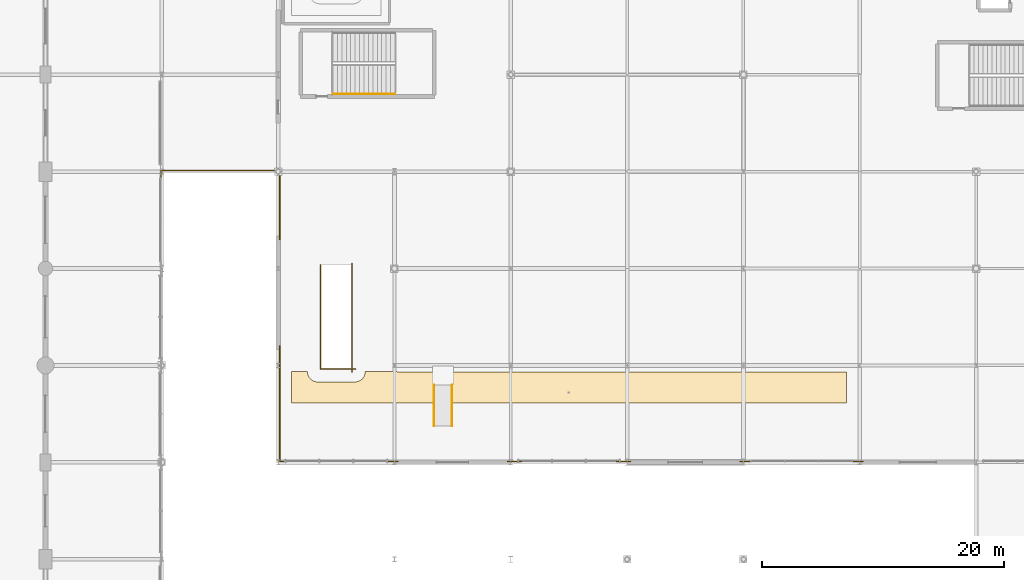
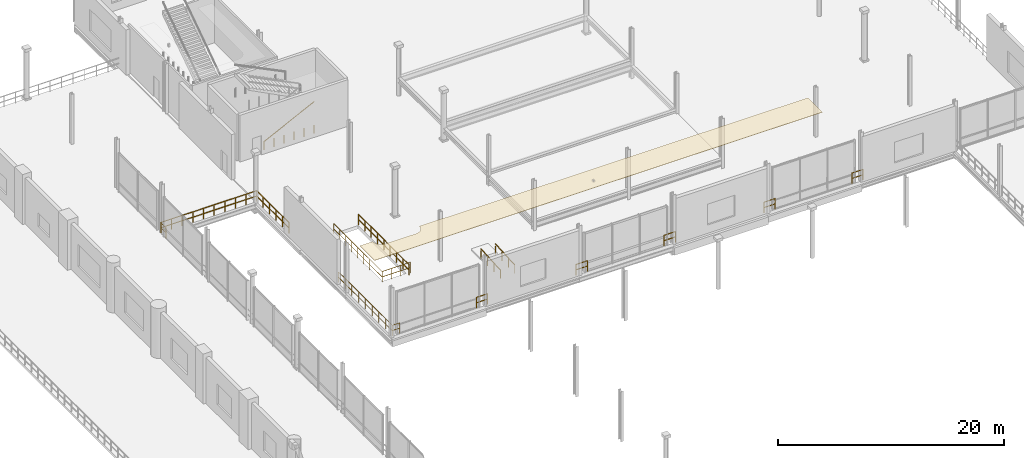
# One storey, part 123 of 129: 12 railings, 1 covering.
"""IFC4 building model written with IfcOpenShell, lengths in metres."""

from ifc_helpers import new_model, si_unit, direction, frame, origin, origin_2d, place, context, subcontext, project, spatial, polyline, circle, outline, extrude, material, layer, layer_set, type_object, element, save


model = new_model("IFC4")

# Units and contexts
model_context = context("Model", 3, precision=1e-05, world=origin(), true_north=direction((0.0, 1.0)))
body_context = subcontext(model_context, "Body", "Model", "MODEL_VIEW")
ifc_project = project(units=[si_unit("LENGTHUNIT", "METRE"), si_unit("AREAUNIT", "SQUARE_METRE"), si_unit("VOLUMEUNIT", "CUBIC_METRE"), si_unit("PLANEANGLEUNIT", "RADIAN"), si_unit("MASSUNIT", "GRAM", prefix="KILO")], contexts=[model_context])

# Site, building, storey
site_placement = place(None, origin())
site = spatial("IfcSite", under=ifc_project, at=site_placement, CompositionType="ELEMENT")
building_placement = place(site_placement, origin())
building = spatial("IfcBuilding", under=site, at=building_placement, Name="Danafjord Basin Convention Centre", CompositionType="ELEMENT")
storey_placement = place(building_placement, frame((0.0, 0.0, 6.0)))
storey = spatial("IfcBuildingStorey", under=building, at=storey_placement, Name="L01", CompositionType="ELEMENT", Elevation=6.0)

# Covering
ifc_material_1 = material(Name="Perforated Nordic birch acoustic slats")
ifc_layer = layer(ifc_material_1, 0.0400390625)
ifc_layer_set = layer_set([ifc_layer], Name="Perforated Nordic birch acoustic slats")
covering_type = type_object("IfcCoveringType", Name="COV-CLG-AC01", PredefinedType="CEILING", material=ifc_layer_set)
covering_placement = place(storey_placement, frame((0.0, 0.0, 4.840087890625)))
element("IfcCovering", 1, at=covering_placement, inside=storey, type_object=covering_type, Name="Auditorium Main Pre-Function Foyer acoustic ceiling", PredefinedType="CEILING", context=body_context, shape_type="SweptSolid", body=[
    extrude(outline(polyline([(136.81494140625, 95.5), (136.81591796875, 95.4560546875), (136.81689453125, 95.43994140625), (136.822021484375, 95.39111328125), (136.823974609375, 95.3759765625), (136.842041015625, 95.2890625), (136.845947265625, 95.27392578125), (136.85791015625, 95.23291015625), (136.863037109375, 95.218017578125), (136.90087890625, 95.1259765625), (136.907958984375, 95.112060546875), (136.926025390625, 95.077880859375), (136.93408203125, 95.06396484375), (136.966064453125, 95.012939453125), (136.97509765625, 95.0), (137.013916015625, 94.948974609375), (137.055908203125, 94.903076171875), (137.06689453125, 94.89208984375), (137.077880859375, 94.881103515625), (137.1240234375, 94.839111328125), (137.175048828125, 94.800048828125), (137.18798828125, 94.791015625), (137.239013671875, 94.759033203125), (137.2529296875, 94.7509765625), (137.287109375, 94.73291015625), (137.301025390625, 94.72607421875), (137.39306640625, 94.68798828125), (137.407958984375, 94.68310546875), (137.448974609375, 94.6708984375), (137.464111328125, 94.6669921875), (137.551025390625, 94.64892578125), (137.56591796875, 94.64697265625), (137.614990234375, 94.64208984375), (137.631103515625, 94.64111328125), (137.675048828125, 94.639892578125), (140.72509765625, 94.639892578125), (140.76904296875, 94.64111328125), (140.784912109375, 94.64208984375), (140.833984375, 94.64697265625), (140.84912109375, 94.64892578125), (140.93603515625, 94.6669921875), (140.950927734375, 94.6708984375), (140.991943359375, 94.68310546875), (141.007080078125, 94.68798828125), (141.09912109375, 94.72607421875), (141.113037109375, 94.73291015625), (141.14697265625, 94.7509765625), (141.160888671875, 94.759033203125), (141.2119140625, 94.791015625), (141.22509765625, 94.800048828125), (141.27587890625, 94.839111328125), (141.322021484375, 94.881103515625), (141.343994140625, 94.903076171875), (141.385986328125, 94.948974609375), (141.425048828125, 95.0), (141.43408203125, 95.012939453125), (141.466064453125, 95.06396484375), (141.47412109375, 95.077880859375), (141.491943359375, 95.112060546875), (141.4990234375, 95.1259765625), (141.537109375, 95.218017578125), (141.5419921875, 95.23291015625), (141.553955078125, 95.27392578125), (141.55810546875, 95.2890625), (141.575927734375, 95.3759765625), (141.577880859375, 95.39111328125), (141.5830078125, 95.43994140625), (141.583984375, 95.4560546875), (141.5849609375, 95.5), (144.12890625, 95.5), (144.134033203125, 95.498046875), (144.18896484375, 95.48388671875), (144.2119140625, 95.47900390625), (144.300048828125, 95.466064453125), (144.322998046875, 95.464111328125), (144.340087890625, 95.4619140625), (144.35595703125, 95.4609375), (144.39990234375, 95.4599609375), (181.300048828125, 95.4599609375), (181.300048828125, 92.89990234375), (135.5, 92.89990234375), (135.5, 95.5), (136.81494140625, 95.5)])), origin(), (0.0, 0.0, 1.0), 0.039794921875),
])

# Railings
ifc_material_2 = material(Name="Laminated structural glass and stainless steel", Category="steel")
railing_type_1 = type_object("IfcRailingType", Name="RL-BAL-GLS", PredefinedType="BALUSTRADE", material=ifc_material_2)
for number, where, name in (
    (2, (182.679931640625, 88.080078125, 0.0), "L01 safety guard balustrade 24"),
    (3, (173.679931640625, 88.080078125, 0.0), "L01 safety guard balustrade 25"),
    (4, (163.47998046875, 88.080078125, 0.0), "L01 safety guard balustrade 26"),
    (5, (154.47998046875, 88.080078125, 0.0), "L01 safety guard balustrade 27"),
    (6, (144.280029296875, 88.080078125, 0.0), "L01 safety guard balustrade 28"),
):
    element("IfcRailing", number, at=place(storey_placement, frame(where)), inside=storey, type_object=railing_type_1, Name=name, PredefinedType="BALUSTRADE", context=body_context, shape_type="SweptSolid", body=[
        extrude(circle(Radius=0.02392578125, at=origin_2d()), frame((0.0, 0.0, 1.1259765625), z_axis=(-1.0, 0.0, 0.0), x_axis=(0.0, -1.0, 0.0)), (0.0, 0.0, 1.0), 1.159912109375),
        extrude(circle(Radius=0.02392578125, at=origin_2d()), frame((0.0, 0.0, 0.55078125), z_axis=(-1.0, 0.0, 0.0), x_axis=(0.0, -1.0, 0.0)), (0.0, 0.0, 1.0), 1.159912109375),
        extrude(circle(Radius=0.02099609375, at=origin_2d()), origin(), (0.0, 0.0, 1.0), 1.099853515625),
        extrude(circle(Radius=0.02099609375, at=origin_2d()), frame((-1.159912109375, 0.0, 0.0)), (0.0, 0.0, 1.0), 1.099853515625),
    ])
railing_1_placement = place(storey_placement, frame((135.280029296875, 88.080078125, 0.0)))
element("IfcRailing", 7, at=railing_1_placement, inside=storey, type_object=railing_type_1, Name="L01 safety guard balustrade 29", PredefinedType="BALUSTRADE", context=body_context, shape_type="SweptSolid", body=[
    extrude(circle(Radius=0.02392578125, at=origin_2d()), frame((0.0, 0.0, 1.1259765625), z_axis=(-1.0, 0.0, 0.0), x_axis=(0.0, -1.0, 0.0)), (0.0, 0.0, 1.0), 0.75),
    extrude(circle(Radius=0.02392578125, at=origin_2d()), frame((0.0, 0.0, 0.55078125), z_axis=(-1.0, 0.0, 0.0), x_axis=(0.0, -1.0, 0.0)), (0.0, 0.0, 1.0), 0.75),
    extrude(circle(Radius=0.02392578125, at=origin_2d()), frame((-0.75, 0.0, 1.1259765625), z_axis=(0.0, 1.0, 0.0), x_axis=(-1.0, 0.0, 0.0)), (0.0, 0.0, 1.0), 9.532958984375),
    extrude(circle(Radius=0.02392578125, at=origin_2d()), frame((-0.75, 0.0, 0.55078125), z_axis=(0.0, 1.0, 0.0), x_axis=(-1.0, 0.0, 0.0)), (0.0, 0.0, 1.0), 9.532958984375),
    extrude(circle(Radius=0.02099609375, at=origin_2d()), origin(), (0.0, 0.0, 1.0), 1.099853515625),
    extrude(circle(Radius=0.02099609375, at=origin_2d()), frame((-0.75, 0.0, 0.0)), (0.0, 0.0, 1.0), 1.099853515625),
    extrude(circle(Radius=0.02099609375, at=origin_2d()), frame((-0.75, 1.191650390625, 0.0)), (0.0, 0.0, 1.0), 1.099853515625),
    extrude(circle(Radius=0.02099609375, at=origin_2d()), frame((-0.75, 2.38330078125, 0.0)), (0.0, 0.0, 1.0), 1.099853515625),
    extrude(circle(Radius=0.02099609375, at=origin_2d()), frame((-0.75, 3.574951171875, 0.0)), (0.0, 0.0, 1.0), 1.099853515625),
    extrude(circle(Radius=0.02099609375, at=origin_2d()), frame((-0.75, 4.7666015625, 0.0)), (0.0, 0.0, 1.0), 1.099853515625),
    extrude(circle(Radius=0.02099609375, at=origin_2d()), frame((-0.75, 5.9580078125, 0.0)), (0.0, 0.0, 1.0), 1.099853515625),
    extrude(circle(Radius=0.02099609375, at=origin_2d()), frame((-0.75, 7.149658203125, 0.0)), (0.0, 0.0, 1.0), 1.099853515625),
    extrude(circle(Radius=0.02099609375, at=origin_2d()), frame((-0.75, 8.34130859375, 0.0)), (0.0, 0.0, 1.0), 1.099853515625),
    extrude(circle(Radius=0.02099609375, at=origin_2d()), frame((-0.75, 9.532958984375, 0.0)), (0.0, 0.0, 1.0), 1.099853515625),
])
railing_2_placement = place(storey_placement, frame((134.530029296875, 106.386962890625, 0.0)))
element("IfcRailing", 8, at=railing_2_placement, inside=storey, type_object=railing_type_1, Name="L01 safety guard balustrade 30", PredefinedType="BALUSTRADE", context=body_context, shape_type="SweptSolid", body=[
    extrude(circle(Radius=0.02392578125, at=origin_2d()), frame((0.0, 0.0, 1.1259765625), z_axis=(0.0, 1.0, 0.0), x_axis=(-1.0, 0.0, 0.0)), (0.0, 0.0, 1.0), 5.693115234375),
    extrude(circle(Radius=0.02392578125, at=origin_2d()), frame((0.0, 0.0, 0.55078125), z_axis=(0.0, 1.0, 0.0), x_axis=(-1.0, 0.0, 0.0)), (0.0, 0.0, 1.0), 5.693115234375),
    extrude(circle(Radius=0.02392578125, at=origin_2d()), frame((0.0, 5.693115234375, 1.1259765625), z_axis=(-1.0, 0.0, 0.0), x_axis=(0.0, -1.0, 0.0)), (0.0, 0.0, 1.0), 9.81005859375),
    extrude(circle(Radius=0.02392578125, at=origin_2d()), frame((0.0, 5.693115234375, 0.55078125), z_axis=(-1.0, 0.0, 0.0), x_axis=(0.0, -1.0, 0.0)), (0.0, 0.0, 1.0), 9.81005859375),
    extrude(circle(Radius=0.02392578125, at=origin_2d()), frame((-9.81005859375, 5.693115234375, 1.1259765625), z_axis=(0.0, -1.0, 0.0), x_axis=(1.0, 0.0, 0.0)), (0.0, 0.0, 1.0), 0.9599609375),
    extrude(circle(Radius=0.02392578125, at=origin_2d()), frame((-9.81005859375, 5.693115234375, 0.55078125), z_axis=(0.0, -1.0, 0.0), x_axis=(1.0, 0.0, 0.0)), (0.0, 0.0, 1.0), 0.9599609375),
    extrude(circle(Radius=0.02099609375, at=origin_2d()), origin(), (0.0, 0.0, 1.0), 1.099853515625),
    extrude(circle(Radius=0.02099609375, at=origin_2d()), frame((0.0, 1.138671875, 0.0)), (0.0, 0.0, 1.0), 1.099853515625),
    extrude(circle(Radius=0.02099609375, at=origin_2d()), frame((0.0, 2.27734375, 0.0)), (0.0, 0.0, 1.0), 1.099853515625),
    extrude(circle(Radius=0.02099609375, at=origin_2d()), frame((0.0, 3.415771484375, 0.0)), (0.0, 0.0, 1.0), 1.099853515625),
    extrude(circle(Radius=0.02099609375, at=origin_2d()), frame((0.0, 4.554443359375, 0.0)), (0.0, 0.0, 1.0), 1.099853515625),
    extrude(circle(Radius=0.02099609375, at=origin_2d()), frame((0.0, 5.693115234375, 0.0)), (0.0, 0.0, 1.0), 1.099853515625),
    extrude(circle(Radius=0.02099609375, at=origin_2d()), frame((-1.090087890625, 5.693115234375, 0.0)), (0.0, 0.0, 1.0), 1.099853515625),
    extrude(circle(Radius=0.02099609375, at=origin_2d()), frame((-2.179931640625, 5.693115234375, 0.0)), (0.0, 0.0, 1.0), 1.099853515625),
    extrude(circle(Radius=0.02099609375, at=origin_2d()), frame((-3.27001953125, 5.693115234375, 0.0)), (0.0, 0.0, 1.0), 1.099853515625),
    extrude(circle(Radius=0.02099609375, at=origin_2d()), frame((-4.360107421875, 5.693115234375, 0.0)), (0.0, 0.0, 1.0), 1.099853515625),
    extrude(circle(Radius=0.02099609375, at=origin_2d()), frame((-5.449951171875, 5.693115234375, 0.0)), (0.0, 0.0, 1.0), 1.099853515625),
    extrude(circle(Radius=0.02099609375, at=origin_2d()), frame((-6.5400390625, 5.693115234375, 0.0)), (0.0, 0.0, 1.0), 1.099853515625),
    extrude(circle(Radius=0.02099609375, at=origin_2d()), frame((-7.630126953125, 5.693115234375, 0.0)), (0.0, 0.0, 1.0), 1.099853515625),
    extrude(circle(Radius=0.02099609375, at=origin_2d()), frame((-8.719970703125, 5.693115234375, 0.0)), (0.0, 0.0, 1.0), 1.099853515625),
    extrude(circle(Radius=0.02099609375, at=origin_2d()), frame((-9.81005859375, 5.693115234375, 0.0)), (0.0, 0.0, 1.0), 1.099853515625),
    extrude(circle(Radius=0.02099609375, at=origin_2d()), frame((-9.81005859375, 4.733154296875, 0.0)), (0.0, 0.0, 1.0), 1.099853515625),
])
railing_3_placement = place(storey_placement, frame((140.5048828125, 95.43994140625, 0.0)))
element("IfcRailing", 9, at=railing_3_placement, inside=storey, type_object=railing_type_1, Name="L01 safety guard balustrade 80", PredefinedType="BALUSTRADE", context=body_context, shape_type="SweptSolid", body=[
    extrude(circle(Radius=0.02392578125, at=origin_2d()), frame((0.0, 0.0, 1.1259765625), z_axis=(0.0, 1.0, 0.0), x_axis=(-1.0, 0.0, 0.0)), (0.0, 0.0, 1.0), 8.965087890625),
    extrude(circle(Radius=0.02392578125, at=origin_2d()), frame((0.0, 0.0, 0.55078125), z_axis=(0.0, 1.0, 0.0), x_axis=(-1.0, 0.0, 0.0)), (0.0, 0.0, 1.0), 8.965087890625),
    extrude(circle(Radius=0.02099609375, at=origin_2d()), origin(), (0.0, 0.0, 1.0), 1.099853515625),
    extrude(circle(Radius=0.02099609375, at=origin_2d()), frame((0.0, 1.12060546875, 0.0)), (0.0, 0.0, 1.0), 1.099853515625),
    extrude(circle(Radius=0.02099609375, at=origin_2d()), frame((0.0, 2.2412109375, 0.0)), (0.0, 0.0, 1.0), 1.099853515625),
    extrude(circle(Radius=0.02099609375, at=origin_2d()), frame((0.0, 3.36181640625, 0.0)), (0.0, 0.0, 1.0), 1.099853515625),
    extrude(circle(Radius=0.02099609375, at=origin_2d()), frame((0.0, 4.482421875, 0.0)), (0.0, 0.0, 1.0), 1.099853515625),
    extrude(circle(Radius=0.02099609375, at=origin_2d()), frame((0.0, 5.603271484375, 0.0)), (0.0, 0.0, 1.0), 1.099853515625),
    extrude(circle(Radius=0.02099609375, at=origin_2d()), frame((0.0, 6.723876953125, 0.0)), (0.0, 0.0, 1.0), 1.099853515625),
    extrude(circle(Radius=0.02099609375, at=origin_2d()), frame((0.0, 7.844482421875, 0.0)), (0.0, 0.0, 1.0), 1.099853515625),
    extrude(circle(Radius=0.02099609375, at=origin_2d()), frame((0.0, 8.965087890625, 0.0)), (0.0, 0.0, 1.0), 1.099853515625),
])
ifc_material_3 = material(Name="Galvanised and powder-coated steel S355", Category="steel")
railing_type_2 = type_object("IfcRailingType", Name="RL-BAL-STL", PredefinedType="BALUSTRADE", material=ifc_material_3)
railing_4_placement = place(storey_placement, frame((137.89501953125, 104.284912109375, 0.0)))
element("IfcRailing", 10, at=railing_4_placement, inside=storey, type_object=railing_type_2, Name="L01 safety guard balustrade 81", PredefinedType="BALUSTRADE", context=body_context, shape_type="SweptSolid", body=[
    extrude(circle(Radius=0.02392578125, at=origin_2d()), frame((0.0, 0.0, 1.1259765625), z_axis=(0.0, -1.0, 0.0), x_axis=(1.0, 0.0, 0.0)), (0.0, 0.0, 1.0), 8.56494140625),
    extrude(circle(Radius=0.02392578125, at=origin_2d()), frame((0.0, 0.0, 0.55078125), z_axis=(0.0, -1.0, 0.0), x_axis=(1.0, 0.0, 0.0)), (0.0, 0.0, 1.0), 8.56494140625),
    extrude(circle(Radius=0.02392578125, at=origin_2d()), frame((0.0, -8.56494140625, 1.1259765625), z_axis=(1.0, 0.0, 0.0), x_axis=(0.0, 1.0, 0.0)), (0.0, 0.0, 1.0), 2.889892578125),
    extrude(circle(Radius=0.02392578125, at=origin_2d()), frame((0.0, -8.56494140625, 0.55078125), z_axis=(1.0, 0.0, 0.0), x_axis=(0.0, 1.0, 0.0)), (0.0, 0.0, 1.0), 2.889892578125),
    extrude(circle(Radius=0.02099609375, at=origin_2d()), origin(), (0.0, 0.0, 1.0), 1.099853515625),
    extrude(circle(Radius=0.02099609375, at=origin_2d()), frame((0.0, -1.070556640625, 0.0)), (0.0, 0.0, 1.0), 1.099853515625),
    extrude(circle(Radius=0.02099609375, at=origin_2d()), frame((0.0, -2.14111328125, 0.0)), (0.0, 0.0, 1.0), 1.099853515625),
    extrude(circle(Radius=0.02099609375, at=origin_2d()), frame((0.0, -3.2119140625, 0.0)), (0.0, 0.0, 1.0), 1.099853515625),
    extrude(circle(Radius=0.02099609375, at=origin_2d()), frame((0.0, -4.282470703125, 0.0)), (0.0, 0.0, 1.0), 1.099853515625),
    extrude(circle(Radius=0.02099609375, at=origin_2d()), frame((0.0, -5.35302734375, 0.0)), (0.0, 0.0, 1.0), 1.099853515625),
    extrude(circle(Radius=0.02099609375, at=origin_2d()), frame((0.0, -6.423828125, 0.0)), (0.0, 0.0, 1.0), 1.099853515625),
    extrude(circle(Radius=0.02099609375, at=origin_2d()), frame((0.0, -7.494384765625, 0.0)), (0.0, 0.0, 1.0), 1.099853515625),
    extrude(circle(Radius=0.02099609375, at=origin_2d()), frame((0.0, -8.56494140625, 0.0)), (0.0, 0.0, 1.0), 1.099853515625),
    extrude(circle(Radius=0.02099609375, at=origin_2d()), frame((0.96337890625, -8.56494140625, 0.0)), (0.0, 0.0, 1.0), 1.099853515625),
    extrude(circle(Radius=0.02099609375, at=origin_2d()), frame((1.926513671875, -8.56494140625, 0.0)), (0.0, 0.0, 1.0), 1.099853515625),
    extrude(circle(Radius=0.02099609375, at=origin_2d()), frame((2.889892578125, -8.56494140625, 0.0)), (0.0, 0.0, 1.0), 1.099853515625),
])
ifc_material_4 = material(Name="Brushed stainless steel EN 1.4404", Category="steel")
railing_type_3 = type_object("IfcRailingType", Name="RL-HR-STAIR", PredefinedType="HANDRAIL", material=ifc_material_4)
railing_5_placement = place(storey_placement, frame((138.929931640625, 118.409912109375, 0.179931640625)))
element("IfcRailing", 11, at=railing_5_placement, inside=storey, type_object=railing_type_3, Name="L01 ST-12 stair handrail 1", PredefinedType="HANDRAIL", context=body_context, shape_type="SweptSolid", body=[
    extrude(circle(Radius=0.02392578125, at=origin_2d()), frame((0.0, 0.0, 0.8759765625), z_axis=(0.896873198966, 0.0, 0.442287762635), x_axis=(0.0, 1.0, 0.0)), (0.0, 0.0, 1.0), 5.69775390625),
    extrude(circle(Radius=0.02099609375, at=origin_2d()), origin(), (0.0, 0.0, 1.0), 0.849853515625),
    extrude(circle(Radius=0.02099609375, at=origin_2d()), frame((1.02197265625, 0.0, 0.0)), (0.0, 0.0, 1.0), 0.849853515625),
    extrude(circle(Radius=0.02099609375, at=origin_2d()), frame((2.0439453125, 0.0, 0.0)), (0.0, 0.0, 1.0), 0.849853515625),
    extrude(circle(Radius=0.02099609375, at=origin_2d()), frame((3.066162109375, 0.0, 0.0)), (0.0, 0.0, 1.0), 0.849853515625),
    extrude(circle(Radius=0.02099609375, at=origin_2d()), frame((4.088134765625, 0.0, 0.0)), (0.0, 0.0, 1.0), 0.849853515625),
    extrude(circle(Radius=0.02099609375, at=origin_2d()), frame((5.110107421875, 0.0, 0.0)), (0.0, 0.0, 1.0), 0.849853515625),
])
for number, where, name in (
    (12, (147.260009765625, 91.0, 0.0), "AR-05 handrail L"),
    (13, (148.739990234375, 91.0, 0.0), "AR-05 handrail R"),
):
    element("IfcRailing", number, at=place(storey_placement, frame(where)), inside=storey, type_object=railing_type_3, Name=name, PredefinedType="HANDRAIL", context=body_context, shape_type="SweptSolid", body=[
        extrude(circle(Radius=0.02392578125, at=origin_2d()), frame((0.0, 0.0, 0.89599609375), z_axis=(0.0, 0.998275114657, 0.058709415403), x_axis=(-1.0, 0.0, 0.0)), (0.0, 0.0, 1.0), 3.40576171875),
        extrude(circle(Radius=0.02099609375, at=origin_2d()), origin(), (0.0, 0.0, 1.0), 0.869873046875),
        extrude(circle(Radius=0.02099609375, at=origin_2d()), frame((0.0, 1.13330078125, 0.0)), (0.0, 0.0, 1.0), 0.869873046875),
        extrude(circle(Radius=0.02099609375, at=origin_2d()), frame((0.0, 2.2666015625, 0.0)), (0.0, 0.0, 1.0), 0.869873046875),
        extrude(circle(Radius=0.02099609375, at=origin_2d()), frame((0.0, 3.39990234375, 0.0)), (0.0, 0.0, 1.0), 0.869873046875),
    ])

save(model, "model.ifc")
